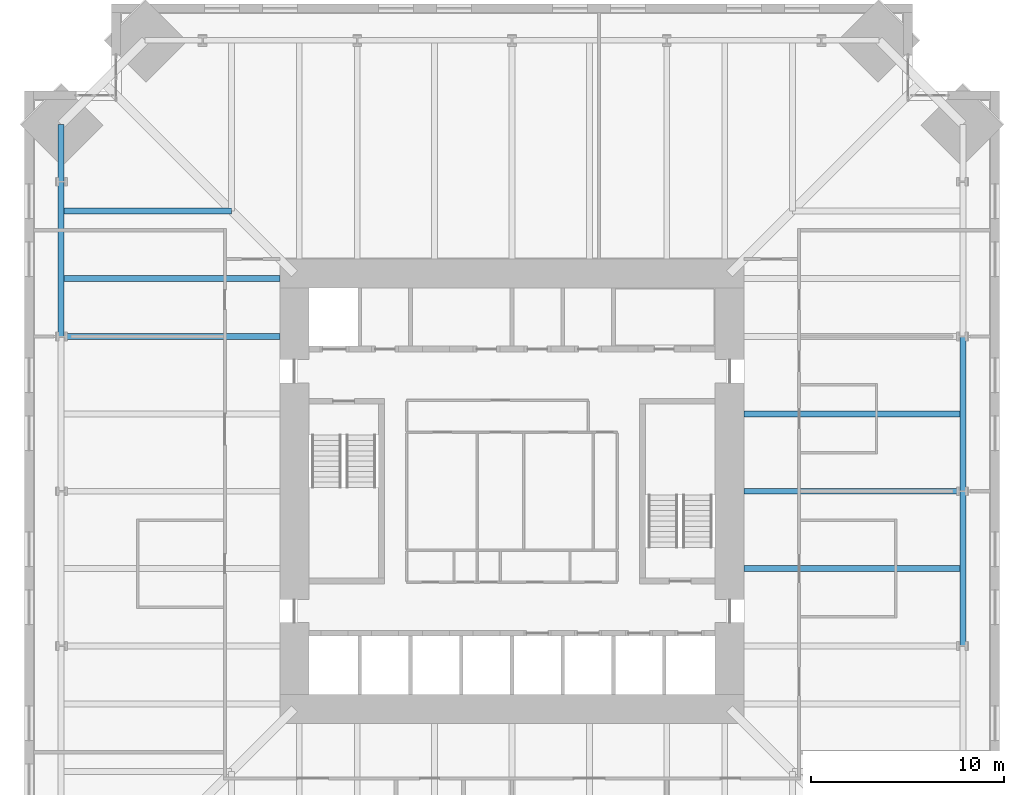
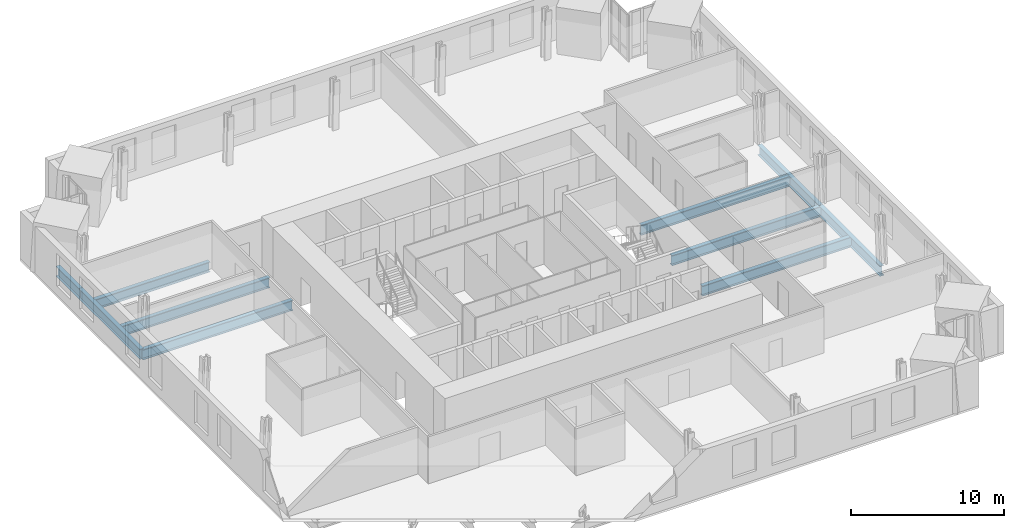
# One storey, part 5 of 15: 10 beams.
"""IFC4 building model written with IfcOpenShell, lengths in metres."""

from ifc_helpers import new_model, si_unit, direction, frame, origin, origin_2d, place, context, subcontext, project, spatial, i_section, extrude, material, material_profile, profile_set, type_object, element, save


model = new_model("IFC4")

# Units and contexts
model_context = context("Model", 3, precision=1e-05, world=origin(), true_north=direction((0.0, 1.0)))
body_context = subcontext(model_context, "Body", "Model", "MODEL_VIEW")
ifc_project = project(units=[si_unit("LENGTHUNIT", "METRE"), si_unit("AREAUNIT", "SQUARE_METRE"), si_unit("VOLUMEUNIT", "CUBIC_METRE"), si_unit("PLANEANGLEUNIT", "RADIAN"), si_unit("MASSUNIT", "GRAM", prefix="KILO")], contexts=[model_context])

# Site, building, storey
site_placement = place(None, origin())
site = spatial("IfcSite", under=ifc_project, at=site_placement, CompositionType="ELEMENT")
building_placement = place(site_placement, origin())
building = spatial("IfcBuilding", under=site, at=building_placement, Name="Peilmerk Tower", CompositionType="ELEMENT")
storey_placement = place(building_placement, frame((0.0, 0.0, 187.800048828125)))
storey = spatial("IfcBuildingStorey", under=building, at=storey_placement, Name="L40", CompositionType="ELEMENT", Elevation=187.800048828125)

# Beams
ifc_material = material(Name="Steel S460", Category="steel")
ifc_material_profile_1 = material_profile(ifc_material, i_section(OverallWidth=0.302978515625, OverallDepth=0.81396484375, WebThickness=0.02099609375, FlangeThickness=0.0400390625, at=origin_2d()), Name="HEM 800")
ifc_profile_set_1 = profile_set([ifc_material_profile_1], Name="Steel S460")
beam_type_1 = type_object("IfcBeamType", Name="B26 HEM 800 floor beam", PredefinedType="BEAM", material=ifc_profile_set_1)
for number, where, z_axis, x_axis, name in (
    (1, (12.0, -4.0, -0.5771484375), (1.0, 0.0, 0.0), (0.0, 1.0, 0.0), "Floor beam L40"),
    (2, (12.0, 0.0, -0.5771484375), (1.0, 0.0, 0.0), (0.0, 1.0, 0.0), "Floor beam L40"),
    (3, (12.0, 4.0, -0.5771484375), (1.0, 0.0, 0.0), (0.0, 1.0, 0.0), "Floor beam L40"),
    (4, (-12.0, 11.0, -0.5771484375), (-1.0, 0.0, 0.0), (0.0, -1.0, 0.0), "Floor beam L40"),
    (5, (-12.0, 8.0, -0.5771484375), (-1.0, 0.0, 0.0), (0.0, -1.0, 0.0), "Floor beam L40"),
):
    element("IfcBeam", number, at=place(storey_placement, frame(where, z_axis=z_axis, x_axis=x_axis)), inside=storey, type_object=beam_type_1, Name=name, PredefinedType="BEAM", context=body_context, shape_type="SweptSolid", body=[
        extrude(i_section(OverallWidth=0.302978515625, OverallDepth=0.81396484375, WebThickness=0.02099609375, FlangeThickness=0.0400390625, at=origin_2d()), origin(), (0.0, 0.0, 1.0), 11.32421875),
    ])
beam_1_placement = place(storey_placement, frame((-14.5, 14.5, -0.5771484375), z_axis=(-1.0, 0.0, 0.0), x_axis=(0.0, -1.0, 0.0)))
element("IfcBeam", 6, at=beam_1_placement, inside=storey, type_object=beam_type_1, Name="Floor beam L40", PredefinedType="BEAM", context=body_context, shape_type="SweptSolid", body=[
    extrude(i_section(OverallWidth=0.302978515625, OverallDepth=0.81396484375, WebThickness=0.02099609375, FlangeThickness=0.0400390625, at=origin_2d()), origin(), (0.0, 0.0, 1.0), 8.82421875),
])
ifc_material_profile_2 = material_profile(ifc_material, i_section(OverallWidth=0.302978515625, OverallDepth=0.81396484375, WebThickness=0.02099609375, FlangeThickness=0.0400390625, at=origin_2d()), Name="HEM 800")
ifc_profile_set_2 = profile_set([ifc_material_profile_2], Name="Steel S460")
beam_type_2 = type_object("IfcBeamType", Name="B35 HEM 800 edge beam", PredefinedType="SPANDREL", material=ifc_profile_set_2)
for number, where, z_axis, x_axis, name in (
    (7, (23.32421875, -8.0, -0.5771484375), (0.0, 1.0, 0.0), (-1.0, 0.0, 0.0), "Edge beam L40"),
    (8, (23.32421875, 0.0, -0.5771484375), (0.0, 1.0, 0.0), (-1.0, 0.0, 0.0), "Edge beam L40"),
):
    element("IfcBeam", number, at=place(storey_placement, frame(where, z_axis=z_axis, x_axis=x_axis)), inside=storey, type_object=beam_type_2, Name=name, PredefinedType="SPANDREL", context=body_context, shape_type="SweptSolid", body=[
        extrude(i_section(OverallWidth=0.302978515625, OverallDepth=0.81396484375, WebThickness=0.02099609375, FlangeThickness=0.0400390625, at=origin_2d()), origin(), (0.0, 0.0, 1.0), 8.0),
    ])
beam_2_placement = place(storey_placement, frame((-23.32421875, 18.97412109375, -0.5771484375), z_axis=(0.0, -1.0, 0.0), x_axis=(1.0, 0.0, 0.0)))
element("IfcBeam", 9, at=beam_2_placement, inside=storey, type_object=beam_type_2, Name="Edge beam L40", PredefinedType="SPANDREL", context=body_context, shape_type="SweptSolid", body=[
    extrude(i_section(OverallWidth=0.302978515625, OverallDepth=0.81396484375, WebThickness=0.02099609375, FlangeThickness=0.0400390625, at=origin_2d()), origin(), (0.0, 0.0, 1.0), 2.97412109375),
])
beam_3_placement = place(storey_placement, frame((-23.32421875, 16.0, -0.5771484375), z_axis=(0.0, -1.0, 0.0), x_axis=(1.0, 0.0, 0.0)))
element("IfcBeam", 10, at=beam_3_placement, inside=storey, type_object=beam_type_2, Name="Edge beam L40", PredefinedType="SPANDREL", context=body_context, shape_type="SweptSolid", body=[
    extrude(i_section(OverallWidth=0.302978515625, OverallDepth=0.81396484375, WebThickness=0.02099609375, FlangeThickness=0.0400390625, at=origin_2d()), origin(), (0.0, 0.0, 1.0), 8.0),
])

save(model, "model.ifc")
